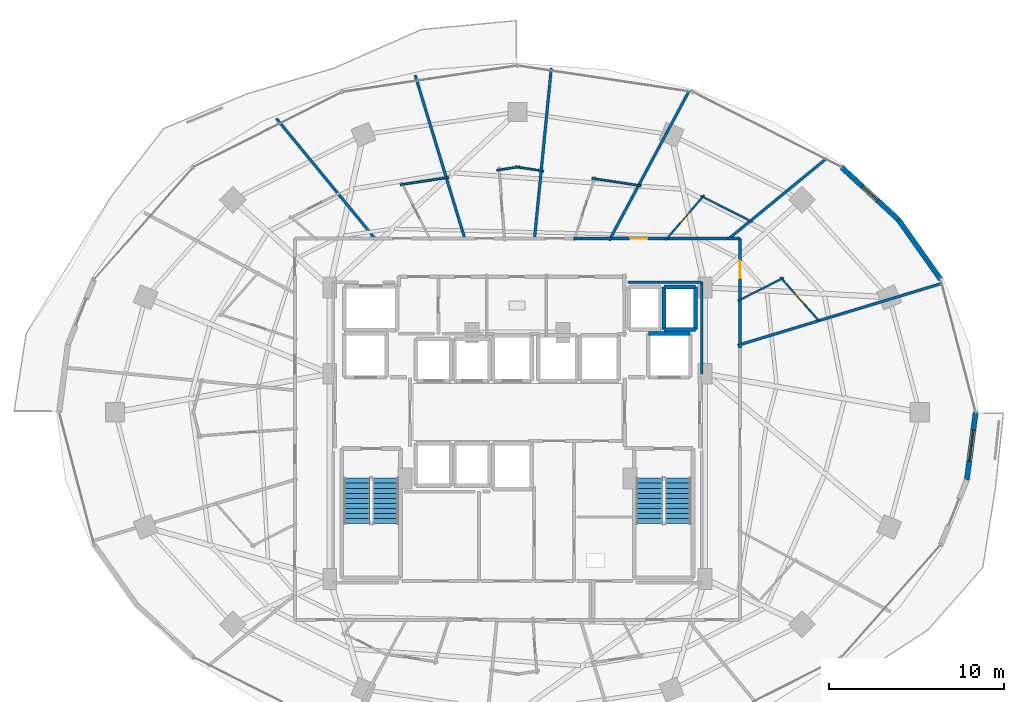
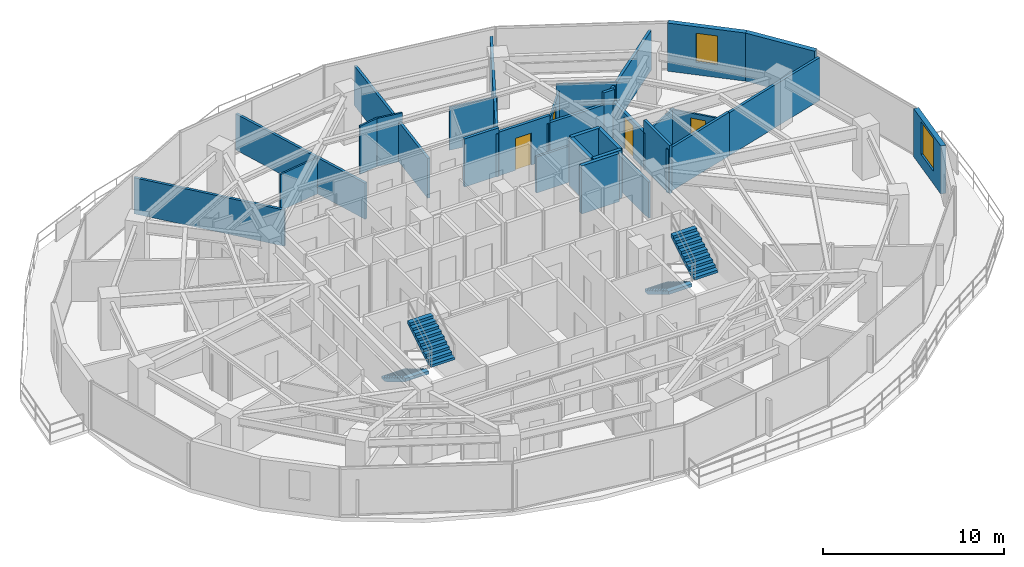
# One storey, part 25 of 29: 32 walls, 4 doors, 4 stair flights, 2 windows, 6 openings, 2 elements without a shape of their own.
"""IFC4 building model written with IfcOpenShell, lengths in metres."""

from ifc_helpers import new_model, si_unit, direction, frame, frame_2d, origin, place, context, subcontext, project, spatial, polyline, rectangle, outline, extrude, material, layer, layer_set, type_object, element, fill, aggregate, save


model = new_model("IFC4")

# Units and contexts
model_context = context("Model", 3, precision=1e-05, world=origin(), true_north=direction((0.0, 1.0)))
body_context = subcontext(model_context, "Body", "Model", "MODEL_VIEW")
ifc_project = project(units=[si_unit("LENGTHUNIT", "METRE"), si_unit("AREAUNIT", "SQUARE_METRE"), si_unit("VOLUMEUNIT", "CUBIC_METRE"), si_unit("PLANEANGLEUNIT", "RADIAN"), si_unit("MASSUNIT", "GRAM", prefix="KILO")], contexts=[model_context])

# Site, building, storey
site_placement = place(None, origin())
site = spatial("IfcSite", under=ifc_project, at=site_placement, CompositionType="ELEMENT")
building_placement = place(site_placement, origin())
building = spatial("IfcBuilding", under=site, at=building_placement, Name="Vorneva Point Tower", CompositionType="ELEMENT")
storey_placement = place(building_placement, frame((0.0, 0.0, 110.300048828125)))
storey = spatial("IfcBuildingStorey", under=building, at=storey_placement, Name="L29", CompositionType="ELEMENT", Elevation=110.300048828125)

# Walls
ifc_material_1 = material(Name="Concrete B60 (C50/60)", Category="concrete")
ifc_layer_1 = layer(ifc_material_1, 0.5)
ifc_layer_set_1 = layer_set([ifc_layer_1], Name="Concrete B60 (C50/60)")
wall_type_1 = type_object("IfcWallType", Name="WL-CORE-500", PredefinedType="SHEAR", material=ifc_layer_set_1)
wall_1_placement = place(storey_placement, frame((47.89990234375, 30.5, 0.0), z_axis=(0.0, 0.0, 1.0), x_axis=(-1.0, 0.0, 0.0)))
element("IfcWall", 1, at=wall_1_placement, inside=storey, type_object=wall_type_1, Name="L29 Lift FFL2 Shaft Wall +Y", PredefinedType="SHEAR", context=body_context, shape_type="SweptSolid", body=[
    extrude(rectangle(XDim=2.39990234375, YDim=0.219970703125, at=frame_2d((1.199951171875, 0.0))), origin(), (0.0, 0.0, 1.0), 3.239990234375),
])
ifc_material_2 = material(Name="Precast concrete B50 (C40/50)", Category="concrete")
ifc_layer_2 = layer(ifc_material_2, 0.300048828125)
ifc_layer_set_2 = layer_set([ifc_layer_2], Name="Precast concrete B50 (C40/50)")
wall_type_2 = type_object("IfcWallType", Name="WL-EXT-300", PredefinedType="STANDARD", material=ifc_layer_set_2)
wall_2_placement = place(storey_placement, frame((62.251708984375, 33.59619140625, 0.0), z_axis=(0.0, 0.0, 1.0), x_axis=(-0.57716435238, 0.81662801222, 0.0)))
element("IfcWall", 2, at=wall_2_placement, inside=storey, type_object=wall_type_2, Name="L29 Pale-Metal Facade Spandrel Wall 02.1", PredefinedType="STANDARD", context=body_context, shape_type="SweptSolid", body=[
    extrude(rectangle(XDim=4.202392578125, YDim=0.300048828125, at=frame_2d((2.10107421875, 0.0))), origin(), (0.0, 0.0, 1.0), 3.239990234375),
])

# Wall, opening, window
wall_3_placement = place(storey_placement, frame((59.826171875, 37.028076171875, 0.0), z_axis=(0.0, 0.0, 1.0), x_axis=(-0.735416718093, 0.677615119924, 0.0)))
wall_3 = element("IfcWall", 3, at=wall_3_placement, inside=storey, type_object=wall_type_2, Name="L29 Pale-Metal Facade Spandrel Wall 02.2", PredefinedType="STANDARD", context=body_context, shape_type="SweptSolid", body=[
    extrude(rectangle(XDim=4.439208984375, YDim=0.300048828125, at=frame_2d((2.2197265625, 0.0))), origin(), (0.0, 0.0, 1.0), 3.239990234375),
])
opening_1_placement = place(wall_3_placement, frame((1.619384765625, 0.0, 0.85009765625)))
opening_1 = element("IfcOpeningElement", 4, at=opening_1_placement, cuts=wall_3, Name="Opening W-04", PredefinedType="OPENING", context=body_context, shape_type="SweptSolid", body=[
    extrude(rectangle(XDim=1.199951171875, YDim=1.949951171875, at=frame_2d((0.60009765625, 0.97509765625))), frame((0.0, 0.1650390625, 0.0), z_axis=(0.0, -1.0, 0.0), x_axis=(1.0, 0.0, 0.0)), (0.0, 0.0, 1.0), 0.329833984375),
])
ifc_material_3 = material(Name="Double low-e laminated glass IGU", Category="glass")
window_type_1 = type_object("IfcWindowType", Name="WN-RES-1200", PartitioningType="SINGLE_PANEL", PredefinedType="WINDOW", material=ifc_material_3)
window_1_placement = place(opening_1_placement, origin())
window_1 = element("IfcWindow", 5, at=window_1_placement, inside=storey, type_object=window_type_1, Name="L29 Dwelling Vision Window 01", OverallHeight=1.949951171875, OverallWidth=1.199951171875, PartitioningType="SINGLE_PANEL", PredefinedType="WINDOW", context=body_context, shape_type="SweptSolid", body=[
    extrude(rectangle(XDim=1.199951171875, YDim=1.949951171875, at=frame_2d((0.60009765625, 0.97509765625))), frame((0.0, 0.030029296875, 0.0), z_axis=(0.0, -1.0, 0.0), x_axis=(1.0, 0.0, 0.0)), (0.0, 0.0, 1.0), 0.06005859375),
])
fill(opening_1, window_1)

wall_4_placement = place(storey_placement, frame((63.74560546875, 22.12744140625, 0.0), z_axis=(0.0, 0.0, 1.0), x_axis=(0.129157444793, 0.991624099372, 0.0)))
wall_4 = element("IfcWall", 6, at=wall_4_placement, inside=storey, type_object=wall_type_2, Name="L29 Pale-Metal Facade Spandrel Wall 16.2", PredefinedType="STANDARD", context=body_context, shape_type="SweptSolid", body=[
    extrude(rectangle(XDim=3.9052734375, YDim=0.300048828125, at=frame_2d((1.95263671875, 0.0))), origin(), (0.0, 0.0, 1.0), 3.239990234375),
])
opening_2_placement = place(wall_4_placement, frame((1.052490234375, 0.0, 0.85009765625)))
opening_2 = element("IfcOpeningElement", 7, at=opening_2_placement, cuts=wall_4, Name="Opening W-01", PredefinedType="OPENING", context=body_context, shape_type="SweptSolid", body=[
    extrude(rectangle(XDim=1.800048828125, YDim=2.18994140625, at=frame_2d((0.89990234375, 1.094970703125))), frame((0.0, 0.1650390625, 0.0), z_axis=(0.0, -1.0, 0.0), x_axis=(1.0, 0.0, 0.0)), (0.0, 0.0, 1.0), 0.329833984375),
])
window_type_2 = type_object("IfcWindowType", Name="WN-LOG-1800", PartitioningType="SINGLE_PANEL", PredefinedType="WINDOW", material=ifc_material_3)
window_2_placement = place(opening_2_placement, origin())
window_2 = element("IfcWindow", 8, at=window_2_placement, inside=storey, type_object=window_type_2, Name="L29 Facade Window 16", OverallHeight=2.18994140625, OverallWidth=1.800048828125, PartitioningType="SINGLE_PANEL", PredefinedType="WINDOW", context=body_context, shape_type="SweptSolid", body=[
    extrude(rectangle(XDim=1.800048828125, YDim=2.18994140625, at=frame_2d((0.89990234375, 1.094970703125))), frame((0.0, 0.030029296875, 0.0), z_axis=(0.0, -1.0, 0.0), x_axis=(1.0, 0.0, 0.0)), (0.0, 0.0, 1.0), 0.06005859375),
])
fill(opening_2, window_2)

# Wall, opening, door
ifc_material_4 = material(Name="Fire-rated acoustic gypsum stud partition", Category="gypsum")
ifc_layer_3 = layer(ifc_material_4, 0.110107421875)
ifc_layer_set_3 = layer_set([ifc_layer_3], Name="Fire-rated acoustic gypsum stud partition")
wall_type_3 = type_object("IfcWallType", Name="WL-PART-110", PredefinedType="PARTITIONING", material=ifc_layer_set_3)
wall_5_placement = place(storey_placement, frame((53.04931640625, 33.745849609375, 0.0), z_axis=(0.0, 0.0, 1.0), x_axis=(0.662033979608, -0.749473821988, 0.0)))
wall_5 = element("IfcWall", 9, at=wall_5_placement, inside=storey, type_object=wall_type_3, Name="L29 Interior Partition 062", PredefinedType="PARTITIONING", context=body_context, shape_type="SweptSolid", body=[
    extrude(rectangle(XDim=3.30859375, YDim=0.110107421875, at=frame_2d((1.654296875, 0.0))), origin(), (0.0, 0.0, 1.0), 2.431884765625),
])
opening_3_placement = place(wall_5_placement, frame((1.229248046875, 0.0, 0.0)))
opening_3 = element("IfcOpeningElement", 10, at=opening_3_placement, cuts=wall_5, Name="Opening ID-02", PredefinedType="OPENING", context=body_context, shape_type="SweptSolid", body=[
    extrude(rectangle(XDim=0.85009765625, YDim=2.10009765625, at=frame_2d((0.425048828125, 1.050048828125))), frame((0.0, 0.06982421875, 0.0), z_axis=(0.0, -1.0, 0.0), x_axis=(1.0, 0.0, 0.0)), (0.0, 0.0, 1.0), 0.139892578125),
])
ifc_material_5 = material(Name="Engineered oak fire-rated door leaf", Category="wood")
door_type_1 = type_object("IfcDoorType", Name="DR-BATH-850", OperationType="NOTDEFINED", PredefinedType="DOOR", material=ifc_material_5)
door_1_placement = place(opening_3_placement, origin())
door_1 = element("IfcDoor", 11, at=door_1_placement, inside=storey, type_object=door_type_1, Name="L29 Door Twin Guest Room L29-01 / En-Suite Bathroom L29-01", OperationType="SINGLE_SWING_LEFT", OverallHeight=2.10009765625, OverallWidth=0.85009765625, PredefinedType="DOOR", context=body_context, shape_type="SweptSolid", body=[
    extrude(rectangle(XDim=0.85009765625, YDim=2.10009765625, at=frame_2d((0.425048828125, 1.050048828125))), frame((0.0, 0.02490234375, 0.0), z_axis=(0.0, -1.0, 0.0), x_axis=(1.0, 0.0, 0.0)), (0.0, 0.0, 1.0), 0.050048828125),
])
fill(opening_3, door_1)

# Walls
wall_6_placement = place(storey_placement, frame((50.625, 32.370849609375, 0.0), z_axis=(0.0, 0.0, 1.0), x_axis=(0.892771184856, 0.450510389992, 0.0)))
element("IfcWall", 12, at=wall_6_placement, inside=storey, type_object=wall_type_3, Name="L29 Interior Partition 063", PredefinedType="PARTITIONING", context=body_context, shape_type="SweptSolid", body=[
    extrude(rectangle(XDim=2.95947265625, YDim=0.110107421875, at=frame_2d((1.479736328125, 0.0))), origin(), (0.0, 0.0, 1.0), 2.431884765625),
])
wall_7_placement = place(storey_placement, frame((48.492919921875, 38.39599609375, 0.0), z_axis=(0.0, 0.0, 1.0), x_axis=(0.892546772035, -0.450954831142, 0.0)))
element("IfcWall", 13, at=wall_7_placement, inside=storey, type_object=wall_type_3, Name="L29 Interior Partition 067", PredefinedType="PARTITIONING", context=body_context, shape_type="SweptSolid", body=[
    extrude(rectangle(XDim=3.337646484375, YDim=0.110107421875, at=frame_2d((1.6689453125, 0.0))), origin(), (0.0, 0.0, 1.0), 2.885986328125),
])

# Wall, opening, door
wall_8_placement = place(storey_placement, frame((46.474609375, 35.843994140625, 0.0), z_axis=(0.0, 0.0, 1.0), x_axis=(0.652539053439, 0.757755094828, 0.0)))
wall_8 = element("IfcWall", 14, at=wall_8_placement, inside=storey, type_object=wall_type_3, Name="L29 Interior Partition 068", PredefinedType="PARTITIONING", context=body_context, shape_type="SweptSolid", body=[
    extrude(rectangle(XDim=3.4248046875, YDim=0.110107421875, at=frame_2d((1.71240234375, 0.0))), origin(), (0.0, 0.0, 1.0), 2.431884765625),
])
opening_4_placement = place(wall_8_placement, frame((1.287353515625, 0.0, 0.0)))
opening_4 = element("IfcOpeningElement", 15, at=opening_4_placement, cuts=wall_8, Name="Opening ID-02", PredefinedType="OPENING", context=body_context, shape_type="SweptSolid", body=[
    extrude(rectangle(XDim=0.85009765625, YDim=2.10009765625, at=frame_2d((0.425048828125, 1.050048828125))), frame((0.0, 0.06982421875, 0.0), z_axis=(0.0, -1.0, 0.0), x_axis=(1.0, 0.0, 0.0)), (0.0, 0.0, 1.0), 0.139892578125),
])
door_2_placement = place(opening_4_placement, origin())
door_2 = element("IfcDoor", 16, at=door_2_placement, inside=storey, type_object=door_type_1, Name="L29 Door Deluxe Guest Room L29-02 / En-Suite Bathroom L29-02", OperationType="SINGLE_SWING_RIGHT", OverallHeight=2.10009765625, OverallWidth=0.85009765625, PredefinedType="DOOR", context=body_context, shape_type="SweptSolid", body=[
    extrude(rectangle(XDim=0.85009765625, YDim=2.10009765625, at=frame_2d((0.425048828125, 1.050048828125))), frame((0.0, 0.02490234375, 0.0), z_axis=(0.0, -1.0, 0.0), x_axis=(1.0, 0.0, 0.0)), (0.0, 0.0, 1.0), 0.050048828125),
])
fill(opening_4, door_2)

# Walls
wall_9_placement = place(storey_placement, frame((42.2646484375, 39.39501953125, 0.0), z_axis=(0.0, 0.0, 1.0), x_axis=(0.988826742388, -0.149069358149, 0.0)))
element("IfcWall", 17, at=wall_9_placement, inside=storey, type_object=wall_type_3, Name="L29 Interior Partition 072", PredefinedType="PARTITIONING", context=body_context, shape_type="SweptSolid", body=[
    extrude(rectangle(XDim=2.849609375, YDim=0.110107421875, at=frame_2d((1.4248046875, 0.0))), origin(), (0.0, 0.0, 1.0), 2.885986328125),
])
wall_10_placement = place(storey_placement, frame((36.823486328125, 39.859130859375, 0.0), z_axis=(0.0, 0.0, 1.0), x_axis=(0.98887971903, 0.1487175218, 0.0)))
element("IfcWall", 18, at=wall_10_placement, inside=storey, type_object=wall_type_3, Name="L29 Interior Partition 074", PredefinedType="PARTITIONING", context=body_context, shape_type="SweptSolid", body=[
    extrude(rectangle(XDim=1.329833984375, YDim=0.110107421875, at=frame_2d((0.6650390625, 0.0))), origin(), (0.0, 0.0, 1.0), 3.239990234375),
])
wall_11_placement = place(storey_placement, frame((37.861572265625, 40.056884765625, 0.0), z_axis=(0.0, 0.0, 1.0), x_axis=(0.988870345378, -0.148779837454, 0.0)))
element("IfcWall", 19, at=wall_11_placement, inside=storey, type_object=wall_type_3, Name="L29 Interior Partition 075", PredefinedType="PARTITIONING", context=body_context, shape_type="SweptSolid", body=[
    extrude(rectangle(XDim=1.657470703125, YDim=0.110107421875, at=frame_2d((0.82861328125, 0.0))), origin(), (0.0, 0.0, 1.0), 3.239990234375),
])
wall_12_placement = place(storey_placement, frame((31.278564453125, 39.025146484375, 0.0), z_axis=(0.0, 0.0, 1.0), x_axis=(0.988909021514, 0.148522547675, 0.0)))
element("IfcWall", 20, at=wall_12_placement, inside=storey, type_object=wall_type_3, Name="L29 Interior Partition 078", PredefinedType="PARTITIONING", context=body_context, shape_type="SweptSolid", body=[
    extrude(rectangle(XDim=2.819091796875, YDim=0.110107421875, at=frame_2d((1.40966796875, 0.0))), origin(), (0.0, 0.0, 1.0), 2.431884765625),
])
ifc_layer_4 = layer(ifc_material_4, 0.139892578125)
ifc_layer_set_4 = layer_set([ifc_layer_4], Name="Fire-rated acoustic gypsum stud partition")
wall_type_4 = type_object("IfcWallType", Name="WL-PART-140", PredefinedType="PARTITIONING", material=ifc_layer_set_4)
wall_13_placement = place(storey_placement, frame((44.340087890625, 33.449951171875, 0.0), z_axis=(0.0, 0.0, 1.0), x_axis=(1.0, 0.0, 0.0)))
element("IfcWall", 21, at=wall_13_placement, inside=storey, type_object=wall_type_4, Name="L29 Interior Closure Partition 123", PredefinedType="PARTITIONING", context=body_context, shape_type="SweptSolid", body=[
    extrude(rectangle(XDim=4.2099609375, YDim=0.139892578125, at=frame_2d((2.10498046875, 0.0))), origin(), (0.0, 0.0, 1.0), 2.431884765625),
])
wall_14_placement = place(storey_placement, frame((48.550048828125, 33.449951171875, 0.0), z_axis=(0.0, 0.0, 1.0), x_axis=(0.0, -1.0, 0.0)))
element("IfcWall", 22, at=wall_14_placement, inside=storey, type_object=wall_type_4, Name="L29 Interior Closure Partition 124", PredefinedType="PARTITIONING", context=body_context, shape_type="SweptSolid", body=[
    extrude(rectangle(XDim=5.25390625, YDim=0.139892578125, at=frame_2d((2.626953125, 0.0))), origin(), (0.0, 0.0, 1.0), 2.431884765625),
])
ifc_layer_5 = layer(ifc_material_4, 0.159912109375)
ifc_layer_set_5 = layer_set([ifc_layer_5], Name="Fire-rated acoustic gypsum stud partition")
wall_type_5 = type_object("IfcWallType", Name="WL-PART-160", PredefinedType="PARTITIONING", material=ifc_layer_set_5)
wall_15_placement = place(storey_placement, frame((55.72802734375, 40.549072265625, 0.0), z_axis=(0.0, 0.0, 1.0), x_axis=(-0.773008157237, -0.634396081991, 0.0)))
element("IfcWall", 23, at=wall_15_placement, inside=storey, type_object=wall_type_5, Name="L29 Interior Partition 064", PredefinedType="PARTITIONING", context=body_context, shape_type="SweptSolid", body=[
    extrude(rectangle(XDim=7.24951171875, YDim=0.159912109375, at=frame_2d((3.624755859375, 0.0))), origin(), (0.0, 0.0, 1.0), 2.677001953125),
])
wall_16_placement = place(storey_placement, frame((55.18798828125, 31.214111328125, 0.0), z_axis=(0.0, 0.0, 1.0), x_axis=(0.956927603812, 0.290326645457, 0.0)))
element("IfcWall", 24, at=wall_16_placement, inside=storey, type_object=wall_type_5, Name="L29 Interior Partition 065", PredefinedType="PARTITIONING", context=body_context, shape_type="SweptSolid", body=[
    extrude(rectangle(XDim=7.470703125, YDim=0.159912109375, at=frame_2d((3.7353515625, 0.0))), origin(), (0.0, 0.0, 1.0), 2.885986328125),
])
wall_17_placement = place(storey_placement, frame((50.615966796875, 29.827392578125, 0.0), z_axis=(0.0, 0.0, 1.0), x_axis=(0.956958408929, 0.290225091232, 0.0)))
element("IfcWall", 25, at=wall_17_placement, inside=storey, type_object=wall_type_5, Name="L29 Interior Partition 066", PredefinedType="PARTITIONING", context=body_context, shape_type="SweptSolid", body=[
    extrude(rectangle(XDim=4.917724609375, YDim=0.159912109375, at=frame_2d((2.458984375, 0.0))), origin(), (0.0, 0.0, 1.0), 2.928955078125),
])
wall_18_placement = place(storey_placement, frame((47.827880859375, 44.386962890625, 0.0), z_axis=(0.0, 0.0, 1.0), x_axis=(-0.471360852561, -0.881940443949, 0.0)))
element("IfcWall", 26, at=wall_18_placement, inside=storey, type_object=wall_type_5, Name="L29 Interior Partition 069", PredefinedType="PARTITIONING", context=body_context, shape_type="SweptSolid", body=[
    extrude(rectangle(XDim=6.181640625, YDim=0.159912109375, at=frame_2d((3.0908203125, 0.0))), origin(), (0.0, 0.0, 1.0), 2.677001953125),
])
wall_19_placement = place(storey_placement, frame((44.979736328125, 39.05859375, 0.0), z_axis=(0.0, 0.0, 1.0), x_axis=(-0.47142818978, -0.881904451673, 0.0)))
element("IfcWall", 27, at=wall_19_placement, inside=storey, type_object=wall_type_5, Name="L29 Interior Partition 070", PredefinedType="PARTITIONING", context=body_context, shape_type="SweptSolid", body=[
    extrude(rectangle(XDim=3.6650390625, YDim=0.159912109375, at=frame_2d((1.83251953125, 0.0))), origin(), (0.0, 0.0, 1.0), 2.885986328125),
])
wall_20_placement = place(storey_placement, frame((39.94091796875, 45.705078125, 0.0), z_axis=(0.0, 0.0, 1.0), x_axis=(-0.098031422457, -0.995183319902, 0.0)))
element("IfcWall", 28, at=wall_20_placement, inside=storey, type_object=wall_type_5, Name="L29 Interior Partition 073", PredefinedType="PARTITIONING", context=body_context, shape_type="SweptSolid", body=[
    extrude(rectangle(XDim=9.80224609375, YDim=0.159912109375, at=frame_2d((4.901123046875, 0.0))), origin(), (0.0, 0.0, 1.0), 2.677001953125),
])
wall_21_placement = place(storey_placement, frame((32.14501953125, 45.300048828125, 0.0), z_axis=(0.0, 0.0, 1.0), x_axis=(0.290340247573, -0.956923476898, 0.0)))
element("IfcWall", 29, at=wall_21_placement, inside=storey, type_object=wall_type_5, Name="L29 Interior Partition 077", PredefinedType="PARTITIONING", context=body_context, shape_type="SweptSolid", body=[
    extrude(rectangle(XDim=9.77099609375, YDim=0.159912109375, at=frame_2d((4.885498046875, 0.0))), origin(), (0.0, 0.0, 1.0), 2.431884765625),
])
wall_22_placement = place(storey_placement, frame((24.197998046875, 42.818115234375, 0.0), z_axis=(0.0, 0.0, 1.0), x_axis=(0.634354930471, -0.773041927833, 0.0)))
element("IfcWall", 30, at=wall_22_placement, inside=storey, type_object=wall_type_5, Name="L29 Interior Partition 080", PredefinedType="PARTITIONING", context=body_context, shape_type="SweptSolid", body=[
    extrude(rectangle(XDim=8.884521484375, YDim=0.159912109375, at=frame_2d((4.4423828125, 0.0))), origin(), (0.0, 0.0, 1.0), 2.431884765625),
])

# Wall, opening, door
ifc_material_6 = material(Name="Autoclaved aerated concrete blockwork", Category="masonry")
ifc_layer_6 = layer(ifc_material_6, 0.179931640625)
ifc_layer_set_6 = layer_set([ifc_layer_6], Name="Autoclaved aerated concrete blockwork")
wall_type_6 = type_object("IfcWallType", Name="WL-PART-180", PredefinedType="PARTITIONING", material=ifc_layer_set_6)
wall_23_placement = place(storey_placement, frame((50.75, 32.3740234375, 0.0), z_axis=(0.0, 0.0, 1.0), x_axis=(0.0, 1.0, 0.0)))
wall_23 = element("IfcWall", 31, at=wall_23_placement, inside=storey, type_object=wall_type_6, Name="L29 Interior Partition 026", PredefinedType="PARTITIONING", context=body_context, shape_type="SweptSolid", body=[
    extrude(rectangle(XDim=3.575927734375, YDim=0.179931640625, at=frame_2d((1.7880859375, 0.0))), origin(), (0.0, 0.0, 1.0), 2.431884765625),
])
opening_5_placement = place(wall_23_placement, frame((1.2880859375, 0.0, 0.0)))
opening_5 = element("IfcOpeningElement", 32, at=opening_5_placement, cuts=wall_23, Name="Opening UD-01", PredefinedType="OPENING", context=body_context, shape_type="SweptSolid", body=[
    extrude(rectangle(XDim=1.0, YDim=2.14990234375, at=frame_2d((0.5, 1.074951171875))), frame((0.0, 0.10498046875, 0.0), z_axis=(0.0, -1.0, 0.0), x_axis=(1.0, 0.0, 0.0)), (0.0, 0.0, 1.0), 0.209716796875),
])
door_type_2 = type_object("IfcDoorType", Name="DR-UNIT-1000", OperationType="NOTDEFINED", PredefinedType="DOOR", material=ifc_material_5)
door_3_placement = place(opening_5_placement, origin())
door_3 = element("IfcDoor", 33, at=door_3_placement, inside=storey, type_object=door_type_2, Name="L29 Door L29 Circulation Corridor / Twin Guest Room L29-01", OperationType="SINGLE_SWING_RIGHT", OverallHeight=2.14990234375, OverallWidth=1.0, PredefinedType="DOOR", context=body_context, shape_type="SweptSolid", body=[
    extrude(rectangle(XDim=1.0, YDim=2.14990234375, at=frame_2d((0.5, 1.074951171875))), frame((0.0, 0.02490234375, 0.0), z_axis=(0.0, -1.0, 0.0), x_axis=(1.0, 0.0, 0.0)), (0.0, 0.0, 1.0), 0.050048828125),
])
fill(opening_5, door_3)

# Walls
wall_24_placement = place(storey_placement, frame((50.75, 35.949951171875, 0.0), z_axis=(0.0, 0.0, 1.0), x_axis=(-1.0, 0.0, 0.0)))
element("IfcWall", 34, at=wall_24_placement, inside=storey, type_object=wall_type_6, Name="L29 Interior Partition 027", PredefinedType="PARTITIONING", context=body_context, shape_type="SweptSolid", body=[
    extrude(rectangle(XDim=0.68603515625, YDim=0.179931640625, at=frame_2d((0.343017578125, 0.0))), origin(), (0.0, 0.0, 1.0), 3.239990234375),
])
wall_25_placement = place(storey_placement, frame((50.75, 29.66796875, 0.0), z_axis=(0.0, 0.0, 1.0), x_axis=(0.0, 1.0, 0.0)))
element("IfcWall", 35, at=wall_25_placement, inside=storey, type_object=wall_type_6, Name="L29 Interior Partition 028", PredefinedType="PARTITIONING", context=body_context, shape_type="SweptSolid", body=[
    extrude(rectangle(XDim=2.845947265625, YDim=0.179931640625, at=frame_2d((1.4228515625, 0.0))), origin(), (0.0, 0.0, 1.0), 3.239990234375),
])

# Wall, opening, door
wall_26_placement = place(storey_placement, frame((46.64501953125, 35.949951171875, 0.0), z_axis=(0.0, 0.0, 1.0), x_axis=(-1.0, 0.0, 0.0)))
wall_26 = element("IfcWall", 36, at=wall_26_placement, inside=storey, type_object=wall_type_6, Name="L29 Interior Partition 029", PredefinedType="PARTITIONING", context=body_context, shape_type="SweptSolid", body=[
    extrude(rectangle(XDim=3.386962890625, YDim=0.179931640625, at=frame_2d((1.693359375, 0.0))), origin(), (0.0, 0.0, 1.0), 2.928955078125),
])
opening_6_placement = place(wall_26_placement, frame((1.193603515625, 0.0, 0.0)))
opening_6 = element("IfcOpeningElement", 37, at=opening_6_placement, cuts=wall_26, Name="Opening UD-01", PredefinedType="OPENING", context=body_context, shape_type="SweptSolid", body=[
    extrude(rectangle(XDim=1.0, YDim=2.14990234375, at=frame_2d((0.5, 1.074951171875))), frame((0.0, 0.10498046875, 0.0), z_axis=(0.0, -1.0, 0.0), x_axis=(1.0, 0.0, 0.0)), (0.0, 0.0, 1.0), 0.209716796875),
])
door_4_placement = place(opening_6_placement, origin())
door_4 = element("IfcDoor", 38, at=door_4_placement, inside=storey, type_object=door_type_2, Name="L29 Door L29 Circulation Corridor / Deluxe Guest Room L29-02", OperationType="SINGLE_SWING_LEFT", OverallHeight=2.14990234375, OverallWidth=1.0, PredefinedType="DOOR", context=body_context, shape_type="SweptSolid", body=[
    extrude(rectangle(XDim=1.0, YDim=2.14990234375, at=frame_2d((0.5, 1.074951171875))), frame((0.0, 0.02490234375, 0.0), z_axis=(0.0, -1.0, 0.0), x_axis=(1.0, 0.0, 0.0)), (0.0, 0.0, 1.0), 0.050048828125),
])
fill(opening_6, door_4)

# Walls
wall_27_placement = place(storey_placement, frame((50.2041015625, 35.949951171875, 0.0), z_axis=(0.0, 0.0, 1.0), x_axis=(-1.0, 0.0, 0.0)))
element("IfcWall", 39, at=wall_27_placement, inside=storey, type_object=wall_type_6, Name="L29 Interior Partition 030", PredefinedType="PARTITIONING", context=body_context, shape_type="SweptSolid", body=[
    extrude(rectangle(XDim=3.69921875, YDim=0.179931640625, at=frame_2d((1.849609375, 0.0))), origin(), (0.0, 0.0, 1.0), 2.431884765625),
])
wall_28_placement = place(storey_placement, frame((43.39794921875, 35.949951171875, 0.0), z_axis=(0.0, 0.0, 1.0), x_axis=(-1.0, 0.0, 0.0)))
element("IfcWall", 40, at=wall_28_placement, inside=storey, type_object=wall_type_6, Name="L29 Interior Partition 032", PredefinedType="PARTITIONING", context=body_context, shape_type="SweptSolid", body=[
    extrude(rectangle(XDim=2.198974609375, YDim=0.179931640625, at=frame_2d((1.099609375, 0.0))), origin(), (0.0, 0.0, 1.0), 3.239990234375),
])
ifc_material_7 = material(Name="Concrete B50 (C40/50)", Category="concrete")
ifc_layer_7 = layer(ifc_material_7, 0.219970703125)
ifc_layer_set_7 = layer_set([ifc_layer_7], Name="Concrete B50 (C40/50)")
wall_type_7 = type_object("IfcWallType", Name="WL-SHFT-220", PredefinedType="SOLIDWALL", material=ifc_layer_set_7)
wall_29_placement = place(storey_placement, frame((46.39990234375, 30.739990234375, 0.0), z_axis=(0.0, 0.0, 1.0), x_axis=(1.0, 0.0, 0.0)))
element("IfcWall", 41, at=wall_29_placement, inside=storey, type_object=wall_type_7, Name="L29 Lift EX2 Shaft Wall -Y", PredefinedType="SOLIDWALL", context=body_context, shape_type="SweptSolid", body=[
    extrude(rectangle(XDim=1.800048828125, YDim=0.219970703125, at=frame_2d((0.89990234375, 0.0))), origin(), (0.0, 0.0, 1.0), 3.239990234375),
])
wall_30_placement = place(storey_placement, frame((48.199951171875, 30.739990234375, 0.0), z_axis=(0.0, 0.0, 1.0), x_axis=(0.0, 1.0, 0.0)))
element("IfcWall", 42, at=wall_30_placement, inside=storey, type_object=wall_type_7, Name="L29 Lift EX2 Shaft Wall +X", PredefinedType="SOLIDWALL", context=body_context, shape_type="SweptSolid", body=[
    extrude(rectangle(XDim=2.419921875, YDim=0.219970703125, at=frame_2d((1.2099609375, 0.0))), origin(), (0.0, 0.0, 1.0), 3.239990234375),
])
wall_31_placement = place(storey_placement, frame((48.199951171875, 33.159912109375, 0.0), z_axis=(0.0, 0.0, 1.0), x_axis=(-1.0, 0.0, 0.0)))
element("IfcWall", 43, at=wall_31_placement, inside=storey, type_object=wall_type_7, Name="L29 Lift EX2 Shaft Wall +Y", PredefinedType="SOLIDWALL", context=body_context, shape_type="SweptSolid", body=[
    extrude(rectangle(XDim=1.800048828125, YDim=0.219970703125, at=frame_2d((0.89990234375, 0.0))), origin(), (0.0, 0.0, 1.0), 3.239990234375),
])
wall_32_placement = place(storey_placement, frame((46.39990234375, 33.159912109375, 0.0), z_axis=(0.0, 0.0, 1.0), x_axis=(0.0, -1.0, 0.0)))
element("IfcWall", 44, at=wall_32_placement, inside=storey, type_object=wall_type_7, Name="L29 Lift EX2 Shaft Wall -X", PredefinedType="SOLIDWALL", context=body_context, shape_type="SweptSolid", body=[
    extrude(rectangle(XDim=2.419921875, YDim=0.219970703125, at=frame_2d((1.2099609375, 0.0))), origin(), (0.0, 0.0, 1.0), 3.239990234375),
])

# Stair, stair flights
stair_type = type_object("IfcStairType", Name="ST-DOG-1500", PredefinedType="HALF_TURN_STAIR", material=ifc_material_7)
stair_1_placement = place(storey_placement, origin())
stair_1 = element("IfcStair", 45, at=stair_1_placement, inside=storey, type_object=stair_type, Name="L29 ST1", PredefinedType="HALF_TURN_STAIR")
stair_flight_type = type_object("IfcStairFlightType", Name="STF-1500", PredefinedType="STRAIGHT", material=ifc_material_7)
stair_flight_1_placement = place(storey_placement, frame((28.800048828125, 22.219970703125, 0.0), z_axis=(0.0, 0.0, 1.0), x_axis=(0.0, -1.0, 0.0)))
stair_flight_1 = element("IfcStairFlight", 46, at=stair_flight_1_placement, type_object=stair_flight_type, Name="ST1 flight 1", NumberOfRisers=10, NumberOfTreads=9, PredefinedType="STRAIGHT", RiserHeight=0.175, TreadLength=0.29, context=body_context, shape_type="SweptSolid", body=[
    extrude(outline(polyline([(0.0, 0.0), (0.0, 0.175048828125), (0.2900390625, 0.175048828125), (0.2900390625, 0.35009765625), (0.580078125, 0.35009765625), (0.580078125, 0.52490234375), (0.8701171875, 0.52490234375), (0.8701171875, 0.699951171875), (1.159912109375, 0.699951171875), (1.159912109375, 0.875), (1.449951171875, 0.875), (1.449951171875, 1.050048828125), (1.739990234375, 1.050048828125), (1.739990234375, 1.22509765625), (2.030029296875, 1.22509765625), (2.030029296875, 1.39990234375), (2.320068359375, 1.39990234375), (2.320068359375, 1.574951171875), (2.610107421875, 1.574951171875), (2.610107421875, 1.75), (2.610107421875, 1.36474609375), (0.34814453125, 0.0), (0.0, 0.0)])), frame((0.0, 0.75, 0.0), z_axis=(0.0, -1.0, 0.0), x_axis=(1.0, 0.0, 0.0)), (0.0, 0.0, 1.0), 1.5),
])
stair_flight_2_placement = place(storey_placement, frame((30.449951171875, 19.610107421875, 1.75), z_axis=(0.0, 0.0, 1.0), x_axis=(0.0, 1.0, 0.0)))
stair_flight_2 = element("IfcStairFlight", 47, at=stair_flight_2_placement, type_object=stair_flight_type, Name="ST1 flight 2", NumberOfRisers=10, NumberOfTreads=9, PredefinedType="STRAIGHT", RiserHeight=0.175, TreadLength=0.29, context=body_context, shape_type="SweptSolid", body=[
    extrude(outline(polyline([(0.0, 0.0), (0.0, 0.175048828125), (0.2900390625, 0.175048828125), (0.2900390625, 0.35009765625), (0.580078125, 0.35009765625), (0.580078125, 0.52490234375), (0.8701171875, 0.52490234375), (0.8701171875, 0.699951171875), (1.159912109375, 0.699951171875), (1.159912109375, 0.875), (1.449951171875, 0.875), (1.449951171875, 1.050048828125), (1.739990234375, 1.050048828125), (1.739990234375, 1.22509765625), (2.030029296875, 1.22509765625), (2.030029296875, 1.39990234375), (2.320068359375, 1.39990234375), (2.320068359375, 1.574951171875), (2.610107421875, 1.574951171875), (2.610107421875, 1.75), (2.610107421875, 1.36474609375), (0.34814453125, 0.0), (0.0, 0.0)])), frame((0.0, 0.75, 0.0), z_axis=(0.0, -1.0, 0.0), x_axis=(1.0, 0.0, 0.0)), (0.0, 0.0, 1.0), 1.5),
])
aggregate(stair_1, [stair_flight_1, stair_flight_2])

stair_2_placement = place(storey_placement, origin())
stair_2 = element("IfcStair", 48, at=stair_2_placement, inside=storey, type_object=stair_type, Name="L29 ST2", PredefinedType="HALF_TURN_STAIR")
stair_flight_3_placement = place(storey_placement, frame((45.550048828125, 22.219970703125, 0.0), z_axis=(0.0, 0.0, 1.0), x_axis=(0.0, -1.0, 0.0)))
stair_flight_3 = element("IfcStairFlight", 49, at=stair_flight_3_placement, type_object=stair_flight_type, Name="ST2 flight 1", NumberOfRisers=10, NumberOfTreads=9, PredefinedType="STRAIGHT", RiserHeight=0.175, TreadLength=0.29, context=body_context, shape_type="SweptSolid", body=[
    extrude(outline(polyline([(0.0, 0.0), (0.0, 0.175048828125), (0.2900390625, 0.175048828125), (0.2900390625, 0.35009765625), (0.580078125, 0.35009765625), (0.580078125, 0.52490234375), (0.8701171875, 0.52490234375), (0.8701171875, 0.699951171875), (1.159912109375, 0.699951171875), (1.159912109375, 0.875), (1.449951171875, 0.875), (1.449951171875, 1.050048828125), (1.739990234375, 1.050048828125), (1.739990234375, 1.22509765625), (2.030029296875, 1.22509765625), (2.030029296875, 1.39990234375), (2.320068359375, 1.39990234375), (2.320068359375, 1.574951171875), (2.610107421875, 1.574951171875), (2.610107421875, 1.75), (2.610107421875, 1.36474609375), (0.34814453125, 0.0), (0.0, 0.0)])), frame((0.0, 0.75, 0.0), z_axis=(0.0, -1.0, 0.0), x_axis=(1.0, 0.0, 0.0)), (0.0, 0.0, 1.0), 1.5),
])
stair_flight_4_placement = place(storey_placement, frame((47.199951171875, 19.610107421875, 1.75), z_axis=(0.0, 0.0, 1.0), x_axis=(0.0, 1.0, 0.0)))
stair_flight_4 = element("IfcStairFlight", 50, at=stair_flight_4_placement, type_object=stair_flight_type, Name="ST2 flight 2", NumberOfRisers=10, NumberOfTreads=9, PredefinedType="STRAIGHT", RiserHeight=0.175, TreadLength=0.29, context=body_context, shape_type="SweptSolid", body=[
    extrude(outline(polyline([(0.0, 0.0), (0.0, 0.175048828125), (0.2900390625, 0.175048828125), (0.2900390625, 0.35009765625), (0.580078125, 0.35009765625), (0.580078125, 0.52490234375), (0.8701171875, 0.52490234375), (0.8701171875, 0.699951171875), (1.159912109375, 0.699951171875), (1.159912109375, 0.875), (1.449951171875, 0.875), (1.449951171875, 1.050048828125), (1.739990234375, 1.050048828125), (1.739990234375, 1.22509765625), (2.030029296875, 1.22509765625), (2.030029296875, 1.39990234375), (2.320068359375, 1.39990234375), (2.320068359375, 1.574951171875), (2.610107421875, 1.574951171875), (2.610107421875, 1.75), (2.610107421875, 1.36474609375), (0.34814453125, 0.0), (0.0, 0.0)])), frame((0.0, 0.75, 0.0), z_axis=(0.0, -1.0, 0.0), x_axis=(1.0, 0.0, 0.0)), (0.0, 0.0, 1.0), 1.5),
])
aggregate(stair_2, [stair_flight_3, stair_flight_4])

save(model, "model.ifc")
